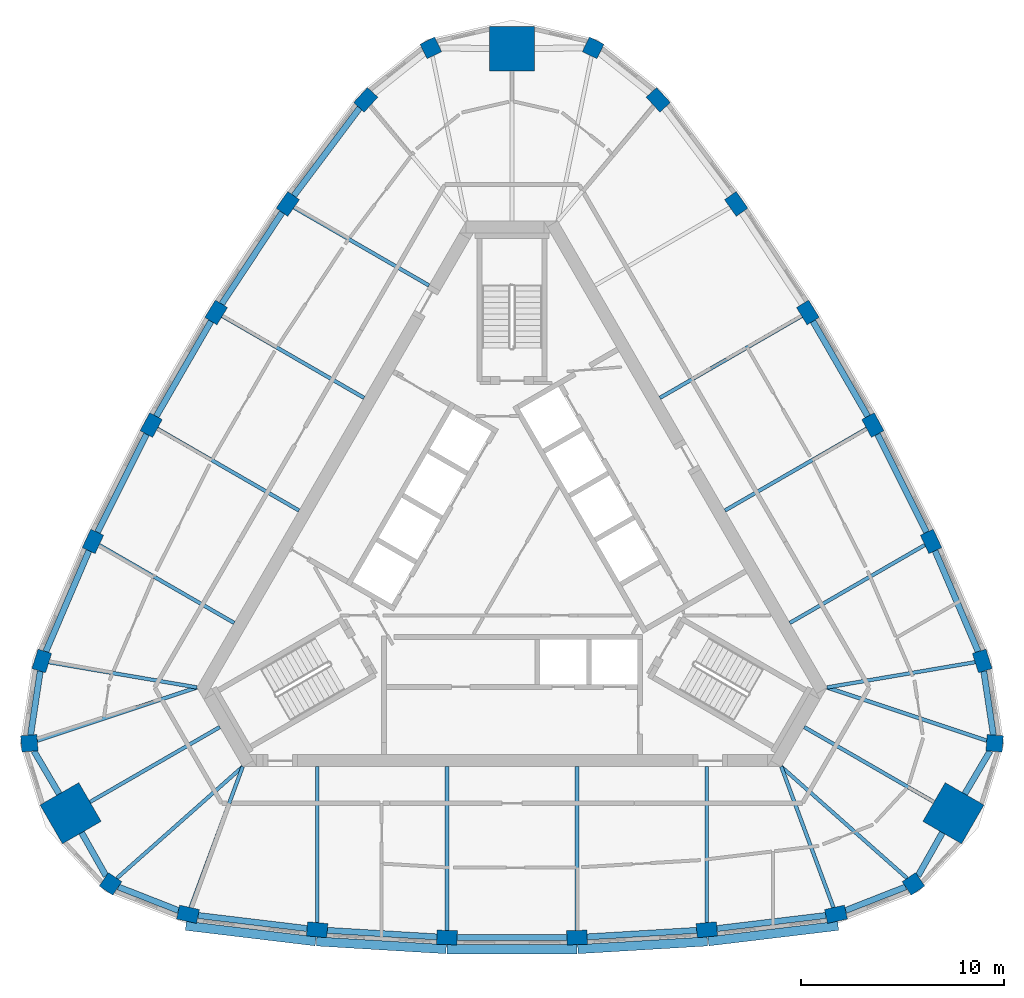
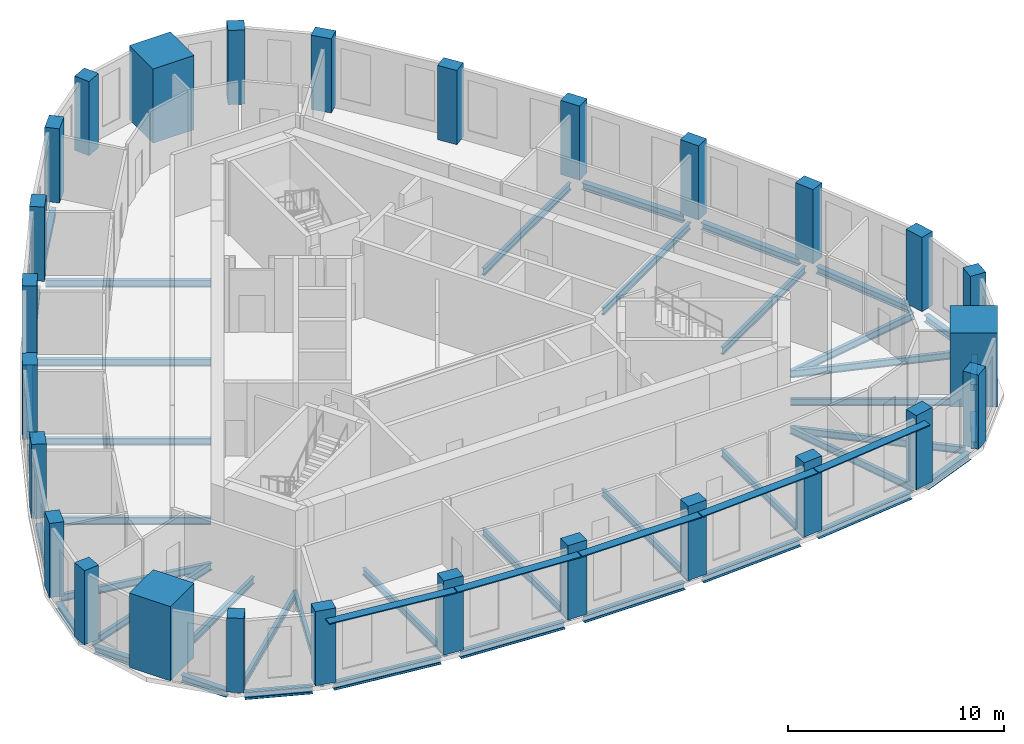
# One storey, part 1 of 10: 42 beams, 27 columns, 5 members.
"""IFC4 building model written with IfcOpenShell, lengths in metres."""

from ifc_helpers import new_model, si_unit, direction, frame, origin, origin_2d, place, context, subcontext, project, spatial, rectangle, i_section, extrude, material, material_profile, profile_set, type_object, element, save


model = new_model("IFC4")

# Units and contexts
model_context = context("Model", 3, precision=1e-05, world=origin(), true_north=direction((0.0, 1.0)))
body_context = subcontext(model_context, "Body", "Model", "MODEL_VIEW")
ifc_project = project(units=[si_unit("LENGTHUNIT", "METRE"), si_unit("AREAUNIT", "SQUARE_METRE"), si_unit("VOLUMEUNIT", "CUBIC_METRE"), si_unit("PLANEANGLEUNIT", "RADIAN"), si_unit("MASSUNIT", "GRAM", prefix="KILO")], contexts=[model_context])

# Site, building, storey
site_placement = place(None, origin())
site = spatial("IfcSite", under=ifc_project, at=site_placement, CompositionType="ELEMENT")
building_placement = place(site_placement, origin())
building = spatial("IfcBuilding", under=site, at=building_placement, Name="Mestral Congress Tower", CompositionType="ELEMENT")
storey_placement = place(building_placement, frame((0.0, 0.0, 283.800048828125)))
storey = spatial("IfcBuildingStorey", under=building, at=storey_placement, Name="L66", CompositionType="ELEMENT", Elevation=283.800048828125)

# Columns
ifc_material_1 = material(Name="Concrete C60/75", Category="concrete")
ifc_material_profile_1 = material_profile(ifc_material_1, rectangle(XDim=1.0, YDim=0.699951171875, at=origin_2d()), Name="RC 1000x700")
ifc_profile_set_1 = profile_set([ifc_material_profile_1], Name="Concrete C60/75")
column_type_1 = type_object("IfcColumnType", Name="Column RC 1000x700 C60/75", PredefinedType="COLUMN", material=ifc_profile_set_1)
for number, where, z_axis, x_axis, name in (
    (1, (-15.940673828125, -17.511962890625, 0.0), (0.0, 0.0, 1.0), (0.976233636503, -0.216720758026, 0.0), "COL-L66-C5-S00"),
    (2, (-9.587158203125, -18.273681640625, 0.0), (0.0, 0.0, 1.0), (0.995997816519, -0.089377567035, 0.0), "COL-L66-C5-S01"),
    (3, (-3.199462890625, -18.6552734375, 0.0), (0.0, 0.0, 1.0), (0.999555031657, -0.029828487872, 0.0), "COL-L66-C5-S02"),
    (4, (3.199462890625, -18.6552734375, 0.0), (0.0, 0.0, 1.0), (0.999555031657, 0.029828487872, 0.0), "COL-L66-C5-S03"),
    (5, (9.587158203125, -18.273681640625, 0.0), (0.0, 0.0, 1.0), (0.995997816519, 0.089377567035, 0.0), "COL-L66-C5-S04"),
    (6, (15.940673828125, -17.511962890625, 0.0), (0.0, 0.0, 1.0), (0.976233636503, 0.216720758026, 0.0), "COL-L66-C5-S05"),
    (7, (23.135986328125, -5.049072265625, 0.0), (0.0, 0.0, 1.0), (-0.300431136274, 0.953803508254, 0.0), "COL-L66-C5-E00"),
    (8, (20.618896484375, 0.833984375, 0.0), (0.0, 0.0, 1.0), (-0.420595664679, 0.907248194737, 0.0), "COL-L66-C5-E01"),
    (9, (17.755615234375, 6.556640625, 0.0), (0.0, 0.0, 1.0), (-0.473945287575, 0.880554293832, 0.0), "COL-L66-C5-E02"),
    (10, (14.55615234375, 12.098388671875, 0.0), (0.0, 0.0, 1.0), (-0.525609744083, 0.850725805959, 0.0), "COL-L66-C5-E03"),
    (11, (11.031982421875, 17.439697265625, 0.0), (0.0, 0.0, 1.0), (-0.57540215184, 0.817870627702, 0.0), "COL-L66-C5-E04"),
    (12, (7.1953125, 22.56103515625, 0.0), (0.0, 0.0, 1.0), (-0.67580250023, 0.737082750228, 0.0), "COL-L66-C5-E05"),
    (13, (-7.1953125, 22.56103515625, 0.0), (0.0, 0.0, 1.0), (-0.67580250023, -0.737082750228, 0.0), "COL-L66-C5-W00"),
    (14, (-11.031982421875, 17.439697265625, 0.0), (0.0, 0.0, 1.0), (-0.57540215184, -0.817870627702, 0.0), "COL-L66-C5-W01"),
    (15, (-14.55615234375, 12.098388671875, 0.0), (0.0, 0.0, 1.0), (-0.525609744083, -0.850725805959, 0.0), "COL-L66-C5-W02"),
    (16, (-17.755615234375, 6.556640625, 0.0), (0.0, 0.0, 1.0), (-0.473945287575, -0.880554293832, 0.0), "COL-L66-C5-W03"),
    (17, (-20.618896484375, 0.833984375, 0.0), (0.0, 0.0, 1.0), (-0.420595664679, -0.907248194737, 0.0), "COL-L66-C5-W04"),
    (18, (-23.135986328125, -5.049072265625, 0.0), (0.0, 0.0, 1.0), (-0.300431136274, -0.953803508254, 0.0), "COL-L66-C5-W05"),
):
    element("IfcColumn", number, at=place(storey_placement, frame(where, z_axis=z_axis, x_axis=x_axis)), inside=storey, type_object=column_type_1, Name=name, PredefinedType="COLUMN", context=body_context, shape_type="SweptSolid", body=[
        extrude(rectangle(XDim=1.0, YDim=0.699951171875, at=origin_2d()), origin(), (0.0, 0.0, 1.0), 4.199951171875),
    ])
ifc_material_profile_2 = material_profile(ifc_material_1, rectangle(XDim=0.800048828125, YDim=0.800048828125, at=origin_2d()), Name="RC 800x800")
ifc_profile_set_2 = profile_set([ifc_material_profile_2], Name="Concrete C60/75")
column_type_2 = type_object("IfcColumnType", Name="Column RC 800x800 C60/75", PredefinedType="COLUMN", material=ifc_profile_set_2)
for number, where, z_axis, x_axis, name in (
    (19, (19.75439453125, -16.0166015625, 0.0), (0.0, 0.0, 1.0), (0.826362775296, 0.563138139008, 0.0), "COL-L66-C5-SE1"),
    (20, (23.748046875, -9.099609375, 0.0), (0.0, 0.0, 1.0), (0.074510546573, 0.997220225652, 0.0), "COL-L66-C5-SE3"),
    (21, (3.993408203125, 25.1162109375, 0.0), (0.0, 0.0, 1.0), (-0.900873321869, 0.434082086644, 0.0), "COL-L66-C5-N1"),
    (22, (-3.993408203125, 25.1162109375, 0.0), (0.0, 0.0, 1.0), (-0.900873321869, -0.434082086644, 0.0), "COL-L66-C5-N3"),
    (23, (-23.748046875, -9.099609375, 0.0), (0.0, 0.0, 1.0), (0.074510546573, -0.997220225652, 0.0), "COL-L66-C5-SW1"),
    (24, (-19.75439453125, -16.0166015625, 0.0), (0.0, 0.0, 1.0), (0.826362775296, -0.563138139008, 0.0), "COL-L66-C5-SW3"),
):
    element("IfcColumn", number, at=place(storey_placement, frame(where, z_axis=z_axis, x_axis=x_axis)), inside=storey, type_object=column_type_2, Name=name, PredefinedType="COLUMN", context=body_context, shape_type="SweptSolid", body=[
        extrude(rectangle(XDim=0.800048828125, YDim=0.800048828125, at=origin_2d()), origin(), (0.0, 0.0, 1.0), 4.199951171875),
    ])
ifc_material_profile_3 = material_profile(ifc_material_1, rectangle(XDim=2.199951171875, YDim=2.199951171875, at=origin_2d()), Name="RC 2200x2200")
ifc_profile_set_3 = profile_set([ifc_material_profile_3], Name="Concrete C60/75")
column_type_3 = type_object("IfcColumnType", Name="Mega column RC 2200x2200 C60/75", PredefinedType="COLUMN", material=ifc_profile_set_3)
for number, where, z_axis, x_axis, name in (
    (25, (21.71826171875, -12.5390625, 0.0), (0.0, 0.0, 1.0), (0.866025403784, -0.5, 0.0), "COL-L66-PY5-SE"),
    (26, (0.0, 25.078125, 0.0), (0.0, 0.0, 1.0), (0.0, 1.0, 0.0), "COL-L66-PY5-N"),
    (27, (-21.71826171875, -12.5390625, 0.0), (0.0, 0.0, 1.0), (-0.866025403784, -0.5, 0.0), "COL-L66-PY5-SW"),
):
    element("IfcColumn", number, at=place(storey_placement, frame(where, z_axis=z_axis, x_axis=x_axis)), inside=storey, type_object=column_type_3, Name=name, PredefinedType="COLUMN", context=body_context, shape_type="SweptSolid", body=[
        extrude(rectangle(XDim=2.199951171875, YDim=2.199951171875, at=origin_2d()), origin(), (0.0, 0.0, 1.0), 4.199951171875),
    ])

# Members
ifc_material_2 = material(Name="Glazed ceramic", Category="masonry")
ifc_material_profile_4 = material_profile(ifc_material_2, rectangle(XDim=0.449951171875, YDim=0.06005859375, at=origin_2d()), Name="Ceramic blade 450 x 60")
ifc_profile_set_4 = profile_set([ifc_material_profile_4], Name="Glazed ceramic")
member_type = type_object("IfcMemberType", Name="Facade sunshade blade 450 x 60", PredefinedType="USERDEFINED", material=ifc_profile_set_4)
member_1_placement = place(storey_placement, frame((-16.04638671875, -18.078369140625, 3.679931640625), z_axis=(0.992890306953, -0.119032929725, 0.0), x_axis=(0.119032929725, 0.992890306953, 0.0)))
element("IfcMember", 28, at=member_1_placement, inside=storey, type_object=member_type, Name="Sunshade F0-00", ObjectType="SUNSHADE", PredefinedType="USERDEFINED", context=body_context, shape_type="SweptSolid", body=[
    extrude(rectangle(XDim=0.449951171875, YDim=0.06005859375, at=origin_2d()), origin(), (0.0, 0.0, 1.0), 6.429931640625),
])
member_2_placement = place(storey_placement, frame((-9.614990234375, -18.84814453125, 3.679931640625), z_axis=(0.998222174469, -0.059602771735, 0.0), x_axis=(0.059602771735, 0.998222174469, 0.0)))
element("IfcMember", 29, at=member_2_placement, inside=storey, type_object=member_type, Name="Sunshade F0-01", ObjectType="SUNSHADE", PredefinedType="USERDEFINED", context=body_context, shape_type="SweptSolid", body=[
    extrude(rectangle(XDim=0.449951171875, YDim=0.06005859375, at=origin_2d()), origin(), (0.0, 0.0, 1.0), 6.385986328125),
])
member_3_placement = place(storey_placement, frame((-3.193115234375, -19.230224609375, 3.679931640625), z_axis=(1.0, 0.0, 0.0), x_axis=(0.0, 1.0, 0.0)))
element("IfcMember", 30, at=member_3_placement, inside=storey, type_object=member_type, Name="Sunshade F0-02", ObjectType="SUNSHADE", PredefinedType="USERDEFINED", context=body_context, shape_type="SweptSolid", body=[
    extrude(rectangle(XDim=0.449951171875, YDim=0.06005859375, at=origin_2d()), origin(), (0.0, 0.0, 1.0), 6.38623046875),
])
member_4_placement = place(storey_placement, frame((3.240478515625, -19.228759765625, 3.679931640625), z_axis=(0.998222174469, 0.059602771735, 0.0), x_axis=(-0.059602771735, 0.998222174469, 0.0)))
element("IfcMember", 31, at=member_4_placement, inside=storey, type_object=member_type, Name="Sunshade F0-03", ObjectType="SUNSHADE", PredefinedType="USERDEFINED", context=body_context, shape_type="SweptSolid", body=[
    extrude(rectangle(XDim=0.449951171875, YDim=0.06005859375, at=origin_2d()), origin(), (0.0, 0.0, 1.0), 6.385986328125),
])
member_5_placement = place(storey_placement, frame((9.662109375, -18.84375, 3.679931640625), z_axis=(0.992890306953, 0.119032929725, 0.0), x_axis=(-0.119032929725, 0.992890306953, 0.0)))
element("IfcMember", 32, at=member_5_placement, inside=storey, type_object=member_type, Name="Sunshade F0-04", ObjectType="SUNSHADE", PredefinedType="USERDEFINED", context=body_context, shape_type="SweptSolid", body=[
    extrude(rectangle(XDim=0.449951171875, YDim=0.06005859375, at=origin_2d()), origin(), (0.0, 0.0, 1.0), 6.429931640625),
])

# Beams
ifc_material_3 = material(Name="Steel S355", Category="steel")
ifc_material_profile_5 = material_profile(ifc_material_3, i_section(OverallWidth=0.179931640625, OverallDepth=0.39990234375, WebThickness=0.008544921875, FlangeThickness=0.013427734375, FilletRadius=0.02099609375, at=origin_2d()), Name="IPE 400")
ifc_profile_set_5 = profile_set([ifc_material_profile_5], Name="Steel S355")
beam_type_1 = type_object("IfcBeamType", Name="Floor beam IPE 400 S355", PredefinedType="BEAM", material=ifc_profile_set_5)
beam_1_placement = place(storey_placement, frame((-15.81787109375, -17.1806640625, -0.449951171875), z_axis=(0.347399345496, 0.937717278687, 0.0), x_axis=(-0.937717278687, 0.347399345496, 0.0)))
element("IfcBeam", 33, at=beam_1_placement, inside=storey, type_object=beam_type_1, Name="BM-L66-RB5-S00", PredefinedType="BEAM", context=body_context, shape_type="SweptSolid", body=[
    extrude(i_section(OverallWidth=0.179931640625, OverallDepth=0.39990234375, WebThickness=0.008544921875, FlangeThickness=0.013427734375, FilletRadius=0.02099609375, at=origin_2d()), origin(), (0.0, 0.0, 1.0), 7.39111328125),
])
beam_2_placement = place(storey_placement, frame((-9.587158203125, -17.92236328125, -0.449951171875), z_axis=(0.0, 1.0, 0.0), x_axis=(-1.0, 0.0, 0.0)))
element("IfcBeam", 34, at=beam_2_placement, inside=storey, type_object=beam_type_1, Name="BM-L66-RB5-S01", PredefinedType="BEAM", context=body_context, shape_type="SweptSolid", body=[
    extrude(i_section(OverallWidth=0.179931640625, OverallDepth=0.39990234375, WebThickness=0.008544921875, FlangeThickness=0.013427734375, FilletRadius=0.02099609375, at=origin_2d()), origin(), (0.0, 0.0, 1.0), 7.67236328125),
])
for number, where, z_axis, x_axis, name in (
    (35, (-3.199462890625, -18.304931640625, -0.449951171875), (0.0, 1.0, 0.0), (-1.0, 0.0, 0.0), "BM-L66-RB5-S02"),
    (36, (3.199462890625, -18.304931640625, -0.449951171875), (0.0, 1.0, 0.0), (-1.0, 0.0, 0.0), "BM-L66-RB5-S03"),
):
    element("IfcBeam", number, at=place(storey_placement, frame(where, z_axis=z_axis, x_axis=x_axis)), inside=storey, type_object=beam_type_1, Name=name, PredefinedType="BEAM", context=body_context, shape_type="SweptSolid", body=[
        extrude(i_section(OverallWidth=0.179931640625, OverallDepth=0.39990234375, WebThickness=0.008544921875, FlangeThickness=0.013427734375, FilletRadius=0.02099609375, at=origin_2d()), origin(), (0.0, 0.0, 1.0), 8.054931640625),
    ])
beam_3_placement = place(storey_placement, frame((9.587158203125, -17.92236328125, -0.449951171875), z_axis=(0.0, 1.0, 0.0), x_axis=(-1.0, 0.0, 0.0)))
element("IfcBeam", 37, at=beam_3_placement, inside=storey, type_object=beam_type_1, Name="BM-L66-RB5-S04", PredefinedType="BEAM", context=body_context, shape_type="SweptSolid", body=[
    extrude(i_section(OverallWidth=0.179931640625, OverallDepth=0.39990234375, WebThickness=0.008544921875, FlangeThickness=0.013427734375, FilletRadius=0.02099609375, at=origin_2d()), origin(), (0.0, 0.0, 1.0), 7.67236328125),
])
beam_4_placement = place(storey_placement, frame((15.81787109375, -17.1806640625, -0.449951171875), z_axis=(-0.347399345496, 0.937717278687, 0.0), x_axis=(-0.937717278687, -0.347399345496, 0.0)))
element("IfcBeam", 38, at=beam_4_placement, inside=storey, type_object=beam_type_1, Name="BM-L66-RB5-S05", PredefinedType="BEAM", context=body_context, shape_type="SweptSolid", body=[
    extrude(i_section(OverallWidth=0.179931640625, OverallDepth=0.39990234375, WebThickness=0.008544921875, FlangeThickness=0.013427734375, FilletRadius=0.02099609375, at=origin_2d()), origin(), (0.0, 0.0, 1.0), 7.39111328125),
])
beam_5_placement = place(storey_placement, frame((19.44580078125, -15.742919921875, -0.449951171875), z_axis=(-0.74826277439, 0.663402457383, 0.0), x_axis=(-0.663402457383, -0.74826277439, 0.0)))
element("IfcBeam", 39, at=beam_5_placement, inside=storey, type_object=beam_type_1, Name="BM-L66-RB5-SE1", PredefinedType="BEAM", context=body_context, shape_type="SweptSolid", body=[
    extrude(i_section(OverallWidth=0.179931640625, OverallDepth=0.39990234375, WebThickness=0.008544921875, FlangeThickness=0.013427734375, FilletRadius=0.02099609375, at=origin_2d()), origin(), (0.0, 0.0, 1.0), 8.280029296875),
])
beam_6_placement = place(storey_placement, frame((20.765625, -11.989013671875, -0.449951171875), z_axis=(-0.866031296205, 0.499989793889, 0.0), x_axis=(-0.499989793889, -0.866031296205, 0.0)))
element("IfcBeam", 40, at=beam_6_placement, inside=storey, type_object=beam_type_1, Name="BM-L66-RB5-SE", PredefinedType="BEAM", context=body_context, shape_type="SweptSolid", body=[
    extrude(i_section(OverallWidth=0.179931640625, OverallDepth=0.39990234375, WebThickness=0.008544921875, FlangeThickness=0.013427734375, FilletRadius=0.02099609375, at=origin_2d()), origin(), (0.0, 0.0, 1.0), 7.378173828125),
])
beam_7_placement = place(storey_placement, frame((23.356689453125, -8.968994140625, -0.449951171875), z_axis=(-0.948659706446, 0.316298532031, 0.0), x_axis=(-0.316298532031, -0.948659706446, 0.0)))
element("IfcBeam", 41, at=beam_7_placement, inside=storey, type_object=beam_type_1, Name="BM-L66-RB5-SE3", PredefinedType="BEAM", context=body_context, shape_type="SweptSolid", body=[
    extrude(i_section(OverallWidth=0.179931640625, OverallDepth=0.39990234375, WebThickness=0.008544921875, FlangeThickness=0.013427734375, FilletRadius=0.02099609375, at=origin_2d()), origin(), (0.0, 0.0, 1.0), 8.27978515625),
])
beam_8_placement = place(storey_placement, frame((22.787841796875, -5.1083984375, -0.449951171875), z_axis=(-0.985786503242, -0.168002886958, 0.0), x_axis=(0.168002886958, -0.985786503242, 0.0)))
element("IfcBeam", 42, at=beam_8_placement, inside=storey, type_object=beam_type_1, Name="BM-L66-RB5-E00", PredefinedType="BEAM", context=body_context, shape_type="SweptSolid", body=[
    extrude(i_section(OverallWidth=0.179931640625, OverallDepth=0.39990234375, WebThickness=0.008544921875, FlangeThickness=0.013427734375, FilletRadius=0.02099609375, at=origin_2d()), origin(), (0.0, 0.0, 1.0), 7.390869140625),
])
beam_9_placement = place(storey_placement, frame((20.314697265625, 0.658447265625, -0.449951171875), z_axis=(-0.866019720907, -0.500009842903, 0.0), x_axis=(0.500009842903, -0.866019720907, 0.0)))
element("IfcBeam", 43, at=beam_9_placement, inside=storey, type_object=beam_type_1, Name="BM-L66-RB5-E01", PredefinedType="BEAM", context=body_context, shape_type="SweptSolid", body=[
    extrude(i_section(OverallWidth=0.179931640625, OverallDepth=0.39990234375, WebThickness=0.008544921875, FlangeThickness=0.013427734375, FilletRadius=0.02099609375, at=origin_2d()), origin(), (0.0, 0.0, 1.0), 7.672119140625),
])
for number, where, z_axis, x_axis, name in (
    (44, (17.452392578125, 6.381591796875, -0.449951171875), (-0.866020537834, -0.500008427979, 0.0), (0.500008427979, -0.866020537834, 0.0), "BM-L66-RB5-E02"),
    (45, (14.2529296875, 11.92333984375, -0.449951171875), (-0.866033662086, -0.499985695929, 0.0), (0.499985695929, -0.866033662086, 0.0), "BM-L66-RB5-E03"),
):
    element("IfcBeam", number, at=place(storey_placement, frame(where, z_axis=z_axis, x_axis=x_axis)), inside=storey, type_object=beam_type_1, Name=name, PredefinedType="BEAM", context=body_context, shape_type="SweptSolid", body=[
        extrude(i_section(OverallWidth=0.179931640625, OverallDepth=0.39990234375, WebThickness=0.008544921875, FlangeThickness=0.013427734375, FilletRadius=0.02099609375, at=origin_2d()), origin(), (0.0, 0.0, 1.0), 8.054931640625),
    ])
beam_10_placement = place(storey_placement, frame((-10.7275390625, 17.263916015625, -0.449951171875), z_axis=(0.866019720907, -0.500009842903, 0.0), x_axis=(0.500009842903, 0.866019720907, 0.0)))
element("IfcBeam", 46, at=beam_10_placement, inside=storey, type_object=beam_type_1, Name="BM-L66-RB5-W01", PredefinedType="BEAM", context=body_context, shape_type="SweptSolid", body=[
    extrude(i_section(OverallWidth=0.179931640625, OverallDepth=0.39990234375, WebThickness=0.008544921875, FlangeThickness=0.013427734375, FilletRadius=0.02099609375, at=origin_2d()), origin(), (0.0, 0.0, 1.0), 7.672119140625),
])
for number, where, z_axis, x_axis, name in (
    (47, (-14.2529296875, 11.92333984375, -0.449951171875), (0.866033662086, -0.499985695929, 0.0), (0.499985695929, 0.866033662086, 0.0), "BM-L66-RB5-W02"),
    (48, (-17.452392578125, 6.381591796875, -0.449951171875), (0.866020537834, -0.500008427979, 0.0), (0.500008427979, 0.866020537834, 0.0), "BM-L66-RB5-W03"),
):
    element("IfcBeam", number, at=place(storey_placement, frame(where, z_axis=z_axis, x_axis=x_axis)), inside=storey, type_object=beam_type_1, Name=name, PredefinedType="BEAM", context=body_context, shape_type="SweptSolid", body=[
        extrude(i_section(OverallWidth=0.179931640625, OverallDepth=0.39990234375, WebThickness=0.008544921875, FlangeThickness=0.013427734375, FilletRadius=0.02099609375, at=origin_2d()), origin(), (0.0, 0.0, 1.0), 8.054931640625),
    ])
beam_11_placement = place(storey_placement, frame((-20.314697265625, 0.658447265625, -0.449951171875), z_axis=(0.866019720907, -0.500009842903, 0.0), x_axis=(0.500009842903, 0.866019720907, 0.0)))
element("IfcBeam", 49, at=beam_11_placement, inside=storey, type_object=beam_type_1, Name="BM-L66-RB5-W04", PredefinedType="BEAM", context=body_context, shape_type="SweptSolid", body=[
    extrude(i_section(OverallWidth=0.179931640625, OverallDepth=0.39990234375, WebThickness=0.008544921875, FlangeThickness=0.013427734375, FilletRadius=0.02099609375, at=origin_2d()), origin(), (0.0, 0.0, 1.0), 7.672119140625),
])
beam_12_placement = place(storey_placement, frame((-22.787841796875, -5.1083984375, -0.449951171875), z_axis=(0.985786503242, -0.168002886958, 0.0), x_axis=(0.168002886958, 0.985786503242, 0.0)))
element("IfcBeam", 50, at=beam_12_placement, inside=storey, type_object=beam_type_1, Name="BM-L66-RB5-W05", PredefinedType="BEAM", context=body_context, shape_type="SweptSolid", body=[
    extrude(i_section(OverallWidth=0.179931640625, OverallDepth=0.39990234375, WebThickness=0.008544921875, FlangeThickness=0.013427734375, FilletRadius=0.02099609375, at=origin_2d()), origin(), (0.0, 0.0, 1.0), 7.390869140625),
])
beam_13_placement = place(storey_placement, frame((-23.356689453125, -8.968994140625, -0.449951171875), z_axis=(0.948659706446, 0.316298532031, 0.0), x_axis=(-0.316298532031, 0.948659706446, 0.0)))
element("IfcBeam", 51, at=beam_13_placement, inside=storey, type_object=beam_type_1, Name="BM-L66-RB5-SW1", PredefinedType="BEAM", context=body_context, shape_type="SweptSolid", body=[
    extrude(i_section(OverallWidth=0.179931640625, OverallDepth=0.39990234375, WebThickness=0.008544921875, FlangeThickness=0.013427734375, FilletRadius=0.02099609375, at=origin_2d()), origin(), (0.0, 0.0, 1.0), 8.27978515625),
])
beam_14_placement = place(storey_placement, frame((-20.765625, -11.989013671875, -0.449951171875), z_axis=(0.866031296205, 0.499989793889, 0.0), x_axis=(-0.499989793889, 0.866031296205, 0.0)))
element("IfcBeam", 52, at=beam_14_placement, inside=storey, type_object=beam_type_1, Name="BM-L66-RB5-SW", PredefinedType="BEAM", context=body_context, shape_type="SweptSolid", body=[
    extrude(i_section(OverallWidth=0.179931640625, OverallDepth=0.39990234375, WebThickness=0.008544921875, FlangeThickness=0.013427734375, FilletRadius=0.02099609375, at=origin_2d()), origin(), (0.0, 0.0, 1.0), 7.378173828125),
])
beam_15_placement = place(storey_placement, frame((-19.44580078125, -15.742919921875, -0.449951171875), z_axis=(0.74826277439, 0.663402457383, 0.0), x_axis=(-0.663402457383, 0.74826277439, 0.0)))
element("IfcBeam", 53, at=beam_15_placement, inside=storey, type_object=beam_type_1, Name="BM-L66-RB5-SW3", PredefinedType="BEAM", context=body_context, shape_type="SweptSolid", body=[
    extrude(i_section(OverallWidth=0.179931640625, OverallDepth=0.39990234375, WebThickness=0.008544921875, FlangeThickness=0.013427734375, FilletRadius=0.02099609375, at=origin_2d()), origin(), (0.0, 0.0, 1.0), 8.280029296875),
])
ifc_material_profile_6 = material_profile(ifc_material_3, i_section(OverallWidth=0.300048828125, OverallDepth=0.389892578125, WebThickness=0.010986328125, FlangeThickness=0.01904296875, FilletRadius=0.027099609375, at=origin_2d()), Name="HEA 400")
ifc_profile_set_6 = profile_set([ifc_material_profile_6], Name="Steel S355")
beam_type_2 = type_object("IfcBeamType", Name="Spandrel beam HEA 400 S355", PredefinedType="BEAM", material=ifc_profile_set_6)
beam_16_placement = place(storey_placement, frame((-15.44189453125, -17.57177734375, -0.445068359375), z_axis=(0.992890319222, -0.119032827389, 0.0), x_axis=(0.119032827389, 0.992890319222, 0.0)))
element("IfcBeam", 54, at=beam_16_placement, inside=storey, type_object=beam_type_2, Name="SP-L66-SB5-S00", PredefinedType="BEAM", context=body_context, shape_type="SweptSolid", body=[
    extrude(i_section(OverallWidth=0.300048828125, OverallDepth=0.389892578125, WebThickness=0.010986328125, FlangeThickness=0.01904296875, FilletRadius=0.027099609375, at=origin_2d()), origin(), (0.0, 0.0, 1.0), 5.396240234375),
])
beam_17_placement = place(storey_placement, frame((-9.087890625, -18.303466796875, -0.445068359375), z_axis=(0.998219522722, -0.059647166371, 0.0), x_axis=(0.059647166371, 0.998219522722, 0.0)))
element("IfcBeam", 55, at=beam_17_placement, inside=storey, type_object=beam_type_2, Name="SP-L66-SB5-S01", PredefinedType="BEAM", context=body_context, shape_type="SweptSolid", body=[
    extrude(i_section(OverallWidth=0.300048828125, OverallDepth=0.389892578125, WebThickness=0.010986328125, FlangeThickness=0.01904296875, FilletRadius=0.027099609375, at=origin_2d()), origin(), (0.0, 0.0, 1.0), 5.398681640625),
])
beam_18_placement = place(storey_placement, frame((-2.69921875, -18.6552734375, -0.445068359375), z_axis=(1.0, 0.0, 0.0), x_axis=(0.0, 1.0, 0.0)))
element("IfcBeam", 56, at=beam_18_placement, inside=storey, type_object=beam_type_2, Name="SP-L66-SB5-S02", PredefinedType="BEAM", context=body_context, shape_type="SweptSolid", body=[
    extrude(i_section(OverallWidth=0.300048828125, OverallDepth=0.389892578125, WebThickness=0.010986328125, FlangeThickness=0.01904296875, FilletRadius=0.027099609375, at=origin_2d()), origin(), (0.0, 0.0, 1.0), 5.3984375),
])
beam_19_placement = place(storey_placement, frame((3.69873046875, -18.62548828125, -0.445068359375), z_axis=(0.998219522722, 0.059647166371, 0.0), x_axis=(-0.059647166371, 0.998219522722, 0.0)))
element("IfcBeam", 57, at=beam_19_placement, inside=storey, type_object=beam_type_2, Name="SP-L66-SB5-S03", PredefinedType="BEAM", context=body_context, shape_type="SweptSolid", body=[
    extrude(i_section(OverallWidth=0.300048828125, OverallDepth=0.389892578125, WebThickness=0.010986328125, FlangeThickness=0.01904296875, FilletRadius=0.027099609375, at=origin_2d()), origin(), (0.0, 0.0, 1.0), 5.398681640625),
])
beam_20_placement = place(storey_placement, frame((10.083984375, -18.214111328125, -0.445068359375), z_axis=(0.992890319222, 0.119032827389, 0.0), x_axis=(-0.119032827389, 0.992890319222, 0.0)))
element("IfcBeam", 58, at=beam_20_placement, inside=storey, type_object=beam_type_2, Name="SP-L66-SB5-S04", PredefinedType="BEAM", context=body_context, shape_type="SweptSolid", body=[
    extrude(i_section(OverallWidth=0.300048828125, OverallDepth=0.389892578125, WebThickness=0.010986328125, FlangeThickness=0.01904296875, FilletRadius=0.027099609375, at=origin_2d()), origin(), (0.0, 0.0, 1.0), 5.396240234375),
])
beam_21_placement = place(storey_placement, frame((16.411865234375, -17.3271484375, -0.445068359375), z_axis=(0.930980873283, 0.365067957485, 0.0), x_axis=(-0.365067957485, 0.930980873283, 0.0)))
element("IfcBeam", 59, at=beam_21_placement, inside=storey, type_object=beam_type_2, Name="SP-L66-SB5-S05", PredefinedType="BEAM", context=body_context, shape_type="SweptSolid", body=[
    extrude(i_section(OverallWidth=0.300048828125, OverallDepth=0.389892578125, WebThickness=0.010986328125, FlangeThickness=0.01904296875, FilletRadius=0.027099609375, at=origin_2d()), origin(), (0.0, 0.0, 1.0), 3.179931640625),
])
beam_22_placement = place(storey_placement, frame((19.9736328125, -15.628173828125, -0.445068359375), z_axis=(0.491728558518, 0.870748542771, 0.0), x_axis=(-0.870748542771, 0.491728558518, 0.0)))
element("IfcBeam", 60, at=beam_22_placement, inside=storey, type_object=beam_type_2, Name="SP-L66-SB5-SE1", PredefinedType="BEAM", context=body_context, shape_type="SweptSolid", body=[
    extrude(i_section(OverallWidth=0.300048828125, OverallDepth=0.389892578125, WebThickness=0.010986328125, FlangeThickness=0.01904296875, FilletRadius=0.027099609375, at=origin_2d()), origin(), (0.0, 0.0, 1.0), 2.44775390625),
])
beam_23_placement = place(storey_placement, frame((22.27734375, -11.591552734375, -0.445068359375), z_axis=(0.508218412694, 0.861228218882, 0.0), x_axis=(-0.861228218882, 0.508218412694, 0.0)))
element("IfcBeam", 61, at=beam_23_placement, inside=storey, type_object=beam_type_2, Name="SP-L66-SB5-SE", PredefinedType="BEAM", context=body_context, shape_type="SweptSolid", body=[
    extrude(i_section(OverallWidth=0.300048828125, OverallDepth=0.389892578125, WebThickness=0.010986328125, FlangeThickness=0.01904296875, FilletRadius=0.027099609375, at=origin_2d()), origin(), (0.0, 0.0, 1.0), 2.447509765625),
])
beam_24_placement = place(storey_placement, frame((23.686767578125, -8.69384765625, -0.445068359375), z_axis=(-0.149402818736, 0.98877641444, 0.0), x_axis=(-0.98877641444, -0.149402818736, 0.0)))
element("IfcBeam", 62, at=beam_24_placement, inside=storey, type_object=beam_type_2, Name="SP-L66-SB5-SE3", PredefinedType="BEAM", context=body_context, shape_type="SweptSolid", body=[
    extrude(i_section(OverallWidth=0.300048828125, OverallDepth=0.389892578125, WebThickness=0.010986328125, FlangeThickness=0.01904296875, FilletRadius=0.027099609375, at=origin_2d()), origin(), (0.0, 0.0, 1.0), 3.179931640625),
])
beam_25_placement = place(storey_placement, frame((22.9384765625, -4.587158203125, -0.445068359375), z_axis=(-0.393367759324, 0.919381208164, 0.0), x_axis=(-0.919381208164, -0.393367759324, 0.0)))
element("IfcBeam", 63, at=beam_25_placement, inside=storey, type_object=beam_type_2, Name="SP-L66-SB5-E00", PredefinedType="BEAM", context=body_context, shape_type="SweptSolid", body=[
    extrude(i_section(OverallWidth=0.300048828125, OverallDepth=0.389892578125, WebThickness=0.010986328125, FlangeThickness=0.01904296875, FilletRadius=0.027099609375, at=origin_2d()), origin(), (0.0, 0.0, 1.0), 5.396484375),
])
beam_26_placement = place(storey_placement, frame((20.395263671875, 1.281494140625, -0.445068359375), z_axis=(-0.44748491494, 0.894291479832, 0.0), x_axis=(-0.894291479832, -0.44748491494, 0.0)))
element("IfcBeam", 64, at=beam_26_placement, inside=storey, type_object=beam_type_2, Name="SP-L66-SB5-E01", PredefinedType="BEAM", context=body_context, shape_type="SweptSolid", body=[
    extrude(i_section(OverallWidth=0.300048828125, OverallDepth=0.389892578125, WebThickness=0.010986328125, FlangeThickness=0.01904296875, FilletRadius=0.027099609375, at=origin_2d()), origin(), (0.0, 0.0, 1.0), 5.3984375),
])
beam_27_placement = place(storey_placement, frame((17.505615234375, 6.989990234375, -0.445068359375), z_axis=(-0.500025177812, 0.86601086688, 0.0), x_axis=(-0.86601086688, -0.500025177812, 0.0)))
element("IfcBeam", 65, at=beam_27_placement, inside=storey, type_object=beam_type_2, Name="SP-L66-SB5-E02", PredefinedType="BEAM", context=body_context, shape_type="SweptSolid", body=[
    extrude(i_section(OverallWidth=0.300048828125, OverallDepth=0.389892578125, WebThickness=0.010986328125, FlangeThickness=0.01904296875, FilletRadius=0.027099609375, at=origin_2d()), origin(), (0.0, 0.0, 1.0), 5.398681640625),
])
beam_28_placement = place(storey_placement, frame((-7.49658203125, 22.158935546875, -0.445068359375), z_axis=(-0.599529393236, -0.800352738888, 0.0), x_axis=(0.800352738888, -0.599529393236, 0.0)))
element("IfcBeam", 66, at=beam_28_placement, inside=storey, type_object=beam_type_2, Name="SP-L66-SB5-W00", PredefinedType="BEAM", context=body_context, shape_type="SweptSolid", body=[
    extrude(i_section(OverallWidth=0.300048828125, OverallDepth=0.389892578125, WebThickness=0.010986328125, FlangeThickness=0.01904296875, FilletRadius=0.027099609375, at=origin_2d()), origin(), (0.0, 0.0, 1.0), 5.396484375),
])
beam_29_placement = place(storey_placement, frame((-11.307373046875, 17.02197265625, -0.445068359375), z_axis=(-0.550748957655, -0.83467094453, 0.0), x_axis=(0.83467094453, -0.550748957655, 0.0)))
element("IfcBeam", 67, at=beam_29_placement, inside=storey, type_object=beam_type_2, Name="SP-L66-SB5-W01", PredefinedType="BEAM", context=body_context, shape_type="SweptSolid", body=[
    extrude(i_section(OverallWidth=0.300048828125, OverallDepth=0.389892578125, WebThickness=0.010986328125, FlangeThickness=0.01904296875, FilletRadius=0.027099609375, at=origin_2d()), origin(), (0.0, 0.0, 1.0), 5.3984375),
])
beam_30_placement = place(storey_placement, frame((-14.80615234375, 11.665283203125, -0.445068359375), z_axis=(-0.500025177812, -0.86601086688, 0.0), x_axis=(0.86601086688, -0.500025177812, 0.0)))
element("IfcBeam", 68, at=beam_30_placement, inside=storey, type_object=beam_type_2, Name="SP-L66-SB5-W02", PredefinedType="BEAM", context=body_context, shape_type="SweptSolid", body=[
    extrude(i_section(OverallWidth=0.300048828125, OverallDepth=0.389892578125, WebThickness=0.010986328125, FlangeThickness=0.01904296875, FilletRadius=0.027099609375, at=origin_2d()), origin(), (0.0, 0.0, 1.0), 5.398681640625),
])
beam_31_placement = place(storey_placement, frame((-17.9794921875, 6.109375, -0.445068359375), z_axis=(-0.44748491494, -0.894291479832, 0.0), x_axis=(0.894291479832, -0.44748491494, 0.0)))
element("IfcBeam", 69, at=beam_31_placement, inside=storey, type_object=beam_type_2, Name="SP-L66-SB5-W03", PredefinedType="BEAM", context=body_context, shape_type="SweptSolid", body=[
    extrude(i_section(OverallWidth=0.300048828125, OverallDepth=0.389892578125, WebThickness=0.010986328125, FlangeThickness=0.01904296875, FilletRadius=0.027099609375, at=origin_2d()), origin(), (0.0, 0.0, 1.0), 5.3984375),
])
beam_32_placement = place(storey_placement, frame((-20.815673828125, 0.374267578125, -0.445068359375), z_axis=(-0.393367759324, -0.919381208164, 0.0), x_axis=(0.919381208164, -0.393367759324, 0.0)))
element("IfcBeam", 70, at=beam_32_placement, inside=storey, type_object=beam_type_2, Name="SP-L66-SB5-W04", PredefinedType="BEAM", context=body_context, shape_type="SweptSolid", body=[
    extrude(i_section(OverallWidth=0.300048828125, OverallDepth=0.389892578125, WebThickness=0.010986328125, FlangeThickness=0.01904296875, FilletRadius=0.027099609375, at=origin_2d()), origin(), (0.0, 0.0, 1.0), 5.396484375),
])
beam_33_placement = place(storey_placement, frame((-23.211669921875, -5.549560546875, -0.445068359375), z_axis=(-0.149402818736, -0.98877641444, 0.0), x_axis=(0.98877641444, -0.149402818736, 0.0)))
element("IfcBeam", 71, at=beam_33_placement, inside=storey, type_object=beam_type_2, Name="SP-L66-SB5-W05", PredefinedType="BEAM", context=body_context, shape_type="SweptSolid", body=[
    extrude(i_section(OverallWidth=0.300048828125, OverallDepth=0.389892578125, WebThickness=0.010986328125, FlangeThickness=0.01904296875, FilletRadius=0.027099609375, at=origin_2d()), origin(), (0.0, 0.0, 1.0), 3.179931640625),
])
beam_34_placement = place(storey_placement, frame((-23.521240234375, -9.483642578125, -0.445068359375), z_axis=(0.508218412694, -0.861228218882, 0.0), x_axis=(0.861228218882, 0.508218412694, 0.0)))
element("IfcBeam", 72, at=beam_34_placement, inside=storey, type_object=beam_type_2, Name="SP-L66-SB5-SW1", PredefinedType="BEAM", context=body_context, shape_type="SweptSolid", body=[
    extrude(i_section(OverallWidth=0.300048828125, OverallDepth=0.389892578125, WebThickness=0.010986328125, FlangeThickness=0.01904296875, FilletRadius=0.027099609375, at=origin_2d()), origin(), (0.0, 0.0, 1.0), 2.447509765625),
])
beam_35_placement = place(storey_placement, frame((-21.17724609375, -13.496826171875, -0.445068359375), z_axis=(0.491728558518, -0.870748542771, 0.0), x_axis=(0.870748542771, 0.491728558518, 0.0)))
element("IfcBeam", 73, at=beam_35_placement, inside=storey, type_object=beam_type_2, Name="SP-L66-SB5-SW", PredefinedType="BEAM", context=body_context, shape_type="SweptSolid", body=[
    extrude(i_section(OverallWidth=0.300048828125, OverallDepth=0.389892578125, WebThickness=0.010986328125, FlangeThickness=0.01904296875, FilletRadius=0.027099609375, at=origin_2d()), origin(), (0.0, 0.0, 1.0), 2.44775390625),
])
beam_36_placement = place(storey_placement, frame((-19.372314453125, -16.166259765625, -0.445068359375), z_axis=(0.930980873283, -0.365067957485, 0.0), x_axis=(0.365067957485, 0.930980873283, 0.0)))
element("IfcBeam", 74, at=beam_36_placement, inside=storey, type_object=beam_type_2, Name="SP-L66-SB5-SW3", PredefinedType="BEAM", context=body_context, shape_type="SweptSolid", body=[
    extrude(i_section(OverallWidth=0.300048828125, OverallDepth=0.389892578125, WebThickness=0.010986328125, FlangeThickness=0.01904296875, FilletRadius=0.027099609375, at=origin_2d()), origin(), (0.0, 0.0, 1.0), 3.179931640625),
])

save(model, "model.ifc")
